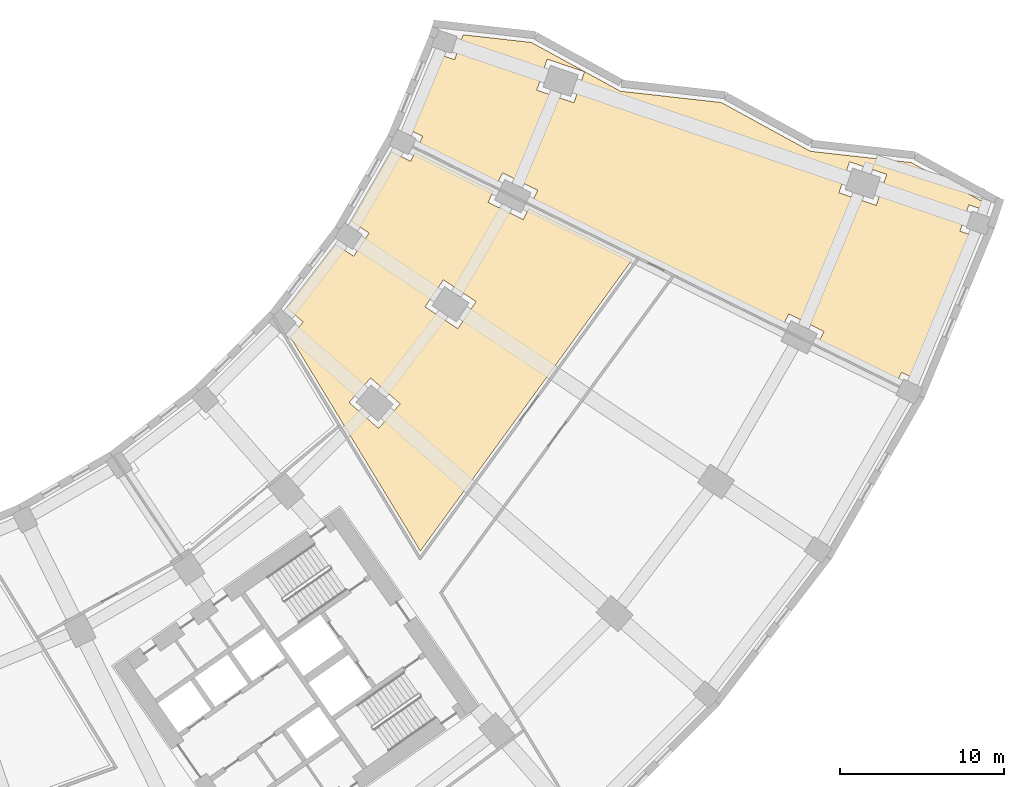
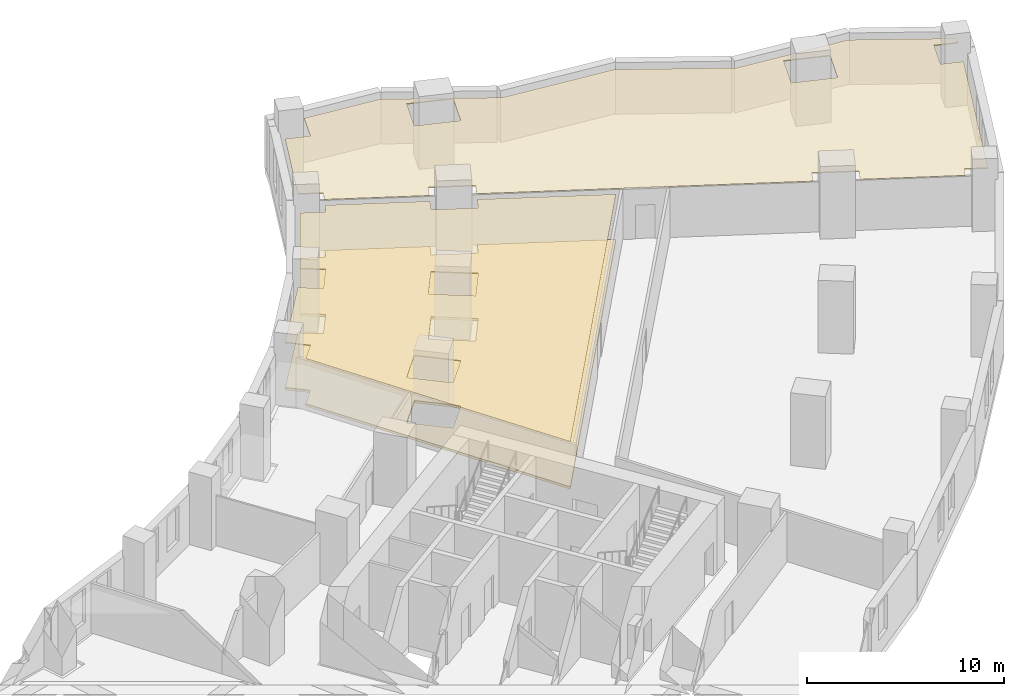
# One storey, part 20 of 20: 3 coverings.
"""IFC4 building model written with IfcOpenShell, lengths in metres."""

from ifc_helpers import new_model, si_unit, direction, frame, origin, place, context, subcontext, project, spatial, polyline, outline, extrude, material, layer, layer_set, type_object, element, save


model = new_model("IFC4")

# Units and contexts
model_context = context("Model", 3, precision=1e-05, world=origin(), true_north=direction((0.0, 1.0)))
body_context = subcontext(model_context, "Body", "Model", "MODEL_VIEW")
ifc_project = project(units=[si_unit("LENGTHUNIT", "METRE"), si_unit("AREAUNIT", "SQUARE_METRE"), si_unit("VOLUMEUNIT", "CUBIC_METRE"), si_unit("PLANEANGLEUNIT", "RADIAN"), si_unit("MASSUNIT", "GRAM", prefix="KILO")], contexts=[model_context])

# Site, building, storey
site_placement = place(None, origin())
site = spatial("IfcSite", under=ifc_project, at=site_placement, CompositionType="ELEMENT")
building_placement = place(site_placement, origin())
building = spatial("IfcBuilding", under=site, at=building_placement, Name="Qamariyya Broadcast Tower", CompositionType="ELEMENT")
storey_placement = place(building_placement, frame((0.0, 0.0, 31.5)))
storey = spatial("IfcBuildingStorey", under=building, at=storey_placement, Name="L04", CompositionType="ELEMENT", Elevation=31.5)

# Coverings
ifc_material_1 = material(Name="Raised access floor")
ifc_layer_1 = layer(ifc_material_1, 0.14990234375)
ifc_layer_set_1 = layer_set([ifc_layer_1], Name="Raised access floor 150")
covering_type_1 = type_object("IfcCoveringType", Name="Raised access floor 150", PredefinedType="FLOORING", material=ifc_layer_set_1)
covering_1_placement = place(storey_placement, origin())
element("IfcCovering", 1, at=covering_1_placement, inside=storey, type_object=covering_type_1, Name="Flooring L04-F11", PredefinedType="FLOORING", context=body_context, shape_type="SweptSolid", body=[
    extrude(outline(polyline([(38.63818359375, -34.3525390625), (39.4306640625, -33.44921875), (38.449951171875, -32.589111328125), (41.430419921875, -28.705078125), (42.5146484375, -29.4296875), (43.459228515625, -28.01611328125), (42.374755859375, -27.291748046875), (44.82275390625, -23.0517578125), (45.992431640625, -23.628662109375), (46.2578125, -23.090576171875), (51.055908203125, -25.456787109375), (50.724365234375, -26.12939453125), (52.876708984375, -27.19091796875), (53.20849609375, -26.518310546875), (59.534423828125, -29.637939453125), (46.587890625, -47.440185546875), (38.63818359375, -34.3525390625)]), holes=[polyline([(48.875244140625, -33.860107421875), (49.986328125, -32.197265625), (47.990966796875, -30.86376953125), (46.8798828125, -32.52685546875), (48.875244140625, -33.860107421875)]), polyline([(44.03759765625, -39.949951171875), (45.356201171875, -38.4462890625), (43.5517578125, -36.86376953125), (42.233154296875, -38.367431640625), (44.03759765625, -39.949951171875)])]), origin(), (0.0, 0.0, 1.0), 0.14990234375),
])
ifc_material_2 = material(Name="Perforated plasterboard ceiling")
ifc_layer_2 = layer(ifc_material_2, 0.06005859375)
ifc_layer_set_2 = layer_set([ifc_layer_2], Name="Suspended acoustic ceiling 60")
covering_type_2 = type_object("IfcCoveringType", Name="Suspended acoustic ceiling 60", PredefinedType="CEILING", material=ifc_layer_set_2)
covering_2_placement = place(storey_placement, frame((0.0, 0.0, 2.889892578125)))
element("IfcCovering", 2, at=covering_2_placement, inside=storey, type_object=covering_type_2, Name="Ceiling L04-C14", PredefinedType="CEILING", context=body_context, shape_type="SweptSolid", body=[
    extrude(outline(polyline([(38.63818359375, -34.3525390625), (39.4306640625, -33.44921875), (38.449951171875, -32.589111328125), (41.430419921875, -28.705078125), (42.5146484375, -29.4296875), (43.459228515625, -28.01611328125), (42.374755859375, -27.291748046875), (44.82275390625, -23.0517578125), (45.992431640625, -23.628662109375), (46.2578125, -23.090576171875), (51.055908203125, -25.456787109375), (50.724365234375, -26.12939453125), (52.876708984375, -27.19091796875), (53.20849609375, -26.518310546875), (59.534423828125, -29.637939453125), (46.587890625, -47.440185546875), (38.63818359375, -34.3525390625)]), holes=[polyline([(48.875244140625, -33.860107421875), (49.986328125, -32.197265625), (47.990966796875, -30.86376953125), (46.8798828125, -32.52685546875), (48.875244140625, -33.860107421875)]), polyline([(44.03759765625, -39.949951171875), (45.356201171875, -38.4462890625), (43.5517578125, -36.86376953125), (42.233154296875, -38.367431640625), (44.03759765625, -39.949951171875)])]), origin(), (0.0, 0.0, 1.0), 0.06005859375),
])
covering_3_placement = place(storey_placement, frame((0.0, 0.0, 2.889892578125)))
element("IfcCovering", 3, at=covering_3_placement, inside=storey, type_object=covering_type_2, Name="Ceiling L04-C15", PredefinedType="CEILING", context=body_context, shape_type="SweptSolid", body=[
    extrude(outline(polyline([(53.369140625, -16.368408203125), (58.81982421875, -19.3505859375), (64.9716796875, -20.03759765625), (70.420166015625, -23.019287109375), (76.573486328125, -23.706787109375), (81.388916015625, -26.34228515625), (81.274658203125, -26.69140625), (80.099365234375, -26.29248046875), (79.552978515625, -27.90234375), (80.682373046875, -28.28564453125), (77.052001953125, -37.050048828125), (75.982421875, -36.522705078125), (75.717041015625, -37.060791015625), (70.918701171875, -34.694580078125), (71.25048828125, -34.021728515625), (69.097900390625, -32.960205078125), (68.76611328125, -33.633056640625), (53.4296875, -26.06982421875), (53.761474609375, -25.397216796875), (51.60888671875, -24.335693359375), (51.277099609375, -25.00830078125), (46.47900390625, -22.64208984375), (46.744384765625, -22.10400390625), (45.574462890625, -21.527099609375), (47.447998046875, -17.004150390625), (48.68310546875, -17.42333984375), (49.19921875, -15.90283203125), (53.369140625, -16.368408203125)]), holes=[polyline([(74.438720703125, -26.324462890625), (75.08154296875, -24.4306640625), (72.808837890625, -23.6591796875), (72.166015625, -25.55322265625), (74.438720703125, -26.324462890625)]), polyline([(53.700927734375, -19.28515625), (55.9736328125, -20.056396484375), (56.616455078125, -18.16259765625), (54.34375, -17.39111328125), (53.700927734375, -19.28515625)])]), origin(), (0.0, 0.0, 1.0), 0.06005859375),
])

save(model, "model.ifc")
